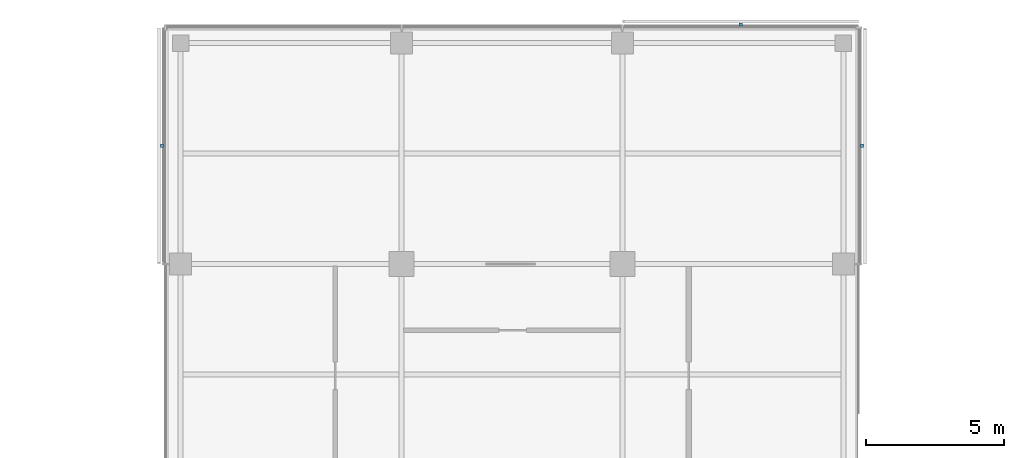
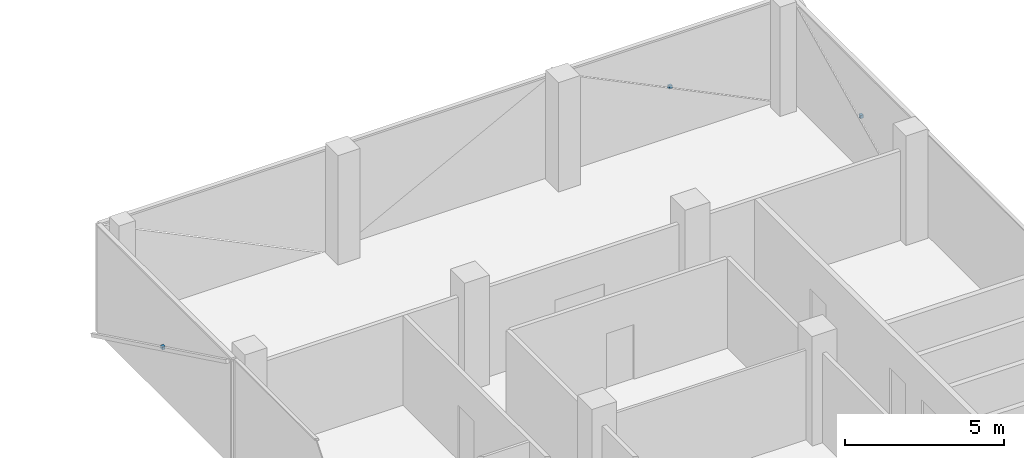
# One storey, part 15 of 16: 3 discrete accessories.
"""IFC4 building model written with IfcOpenShell, lengths in metres."""

from ifc_helpers import new_model, si_unit, direction, frame, origin, origin_2d, place, context, subcontext, project, spatial, rectangle, extrude, material, type_object, element, save


model = new_model("IFC4")

# Units and contexts
model_context = context("Model", 3, precision=1e-05, world=origin(), true_north=direction((0.0, 1.0)))
body_context = subcontext(model_context, "Body", "Model", "MODEL_VIEW")
ifc_project = project(units=[si_unit("LENGTHUNIT", "METRE"), si_unit("AREAUNIT", "SQUARE_METRE"), si_unit("VOLUMEUNIT", "CUBIC_METRE"), si_unit("PLANEANGLEUNIT", "RADIAN"), si_unit("MASSUNIT", "GRAM", prefix="KILO")], contexts=[model_context])

# Site, building, storey
site_placement = place(None, origin())
site = spatial("IfcSite", under=ifc_project, at=site_placement, CompositionType="ELEMENT")
building_placement = place(site_placement, origin())
building = spatial("IfcBuilding", under=site, at=building_placement, Name="Crosswind Convention Tower", CompositionType="ELEMENT")
storey_placement = place(building_placement, frame((0.0, 0.0, 212.5)))
storey = spatial("IfcBuildingStorey", under=building, at=storey_placement, Name="L45", CompositionType="ELEMENT", Elevation=212.5)

# Discrete accessories
ifc_material = material(Name="Stainless steel", Category="steel")
discrete_accessory_type = type_object("IfcDiscreteAccessoryType", Name="BAGUETTE BRACKET BK3", PredefinedType="BRACKET", material=ifc_material)
for number, where, z_axis, x_axis, name in (
    (1, (137.676025390625, 124.280029296875, 1.704833984375), (0.0, 0.0, 1.0), (0.0, 1.0, 0.0), "BK3 baguette bracket"),
    (2, (133.280029296875, 128.676025390625, 1.704833984375), (0.0, 0.0, 1.0), (-1.0, 0.0, 0.0), "BK3 baguette bracket"),
    (3, (112.323974609375, 124.280029296875, 1.704833984375), (0.0, 0.0, 1.0), (0.0, -1.0, 0.0), "BK3 baguette bracket"),
):
    element("IfcDiscreteAccessory", number, at=place(storey_placement, frame(where, z_axis=z_axis, x_axis=x_axis)), inside=storey, type_object=discrete_accessory_type, Name=name, PredefinedType="BRACKET", context=body_context, shape_type="SweptSolid", body=[
        extrude(rectangle(XDim=0.1201171875, YDim=0.10009765625, at=origin_2d()), origin(), (0.0, 0.0, 1.0), 0.1201171875),
    ])

save(model, "model.ifc")
